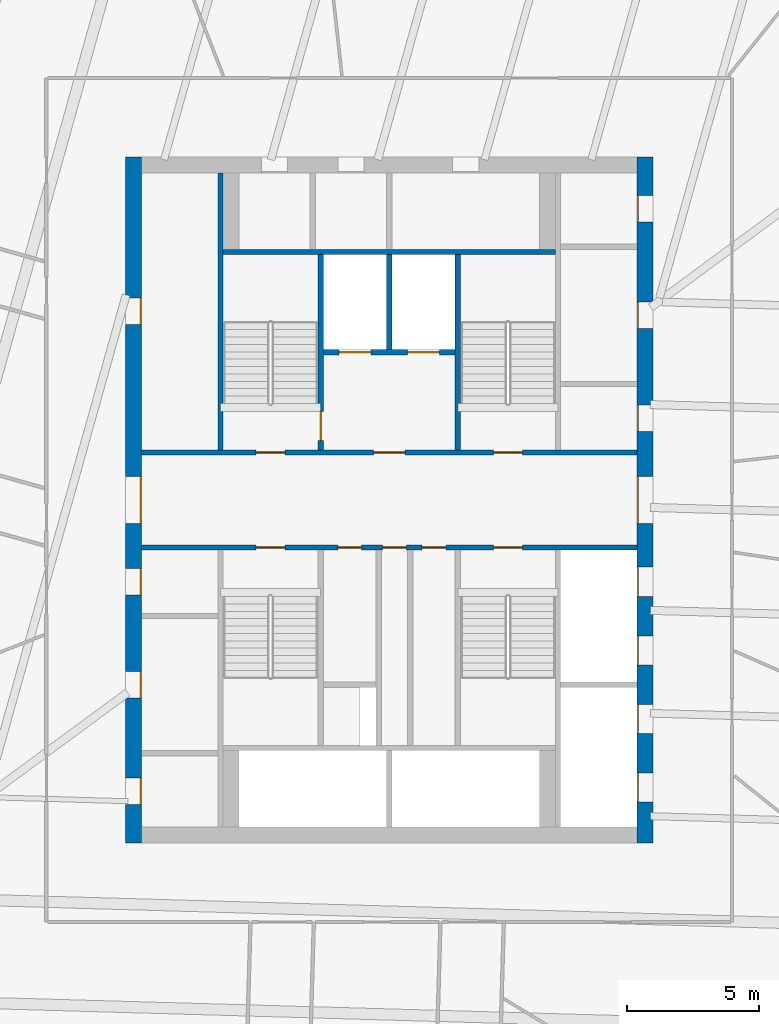
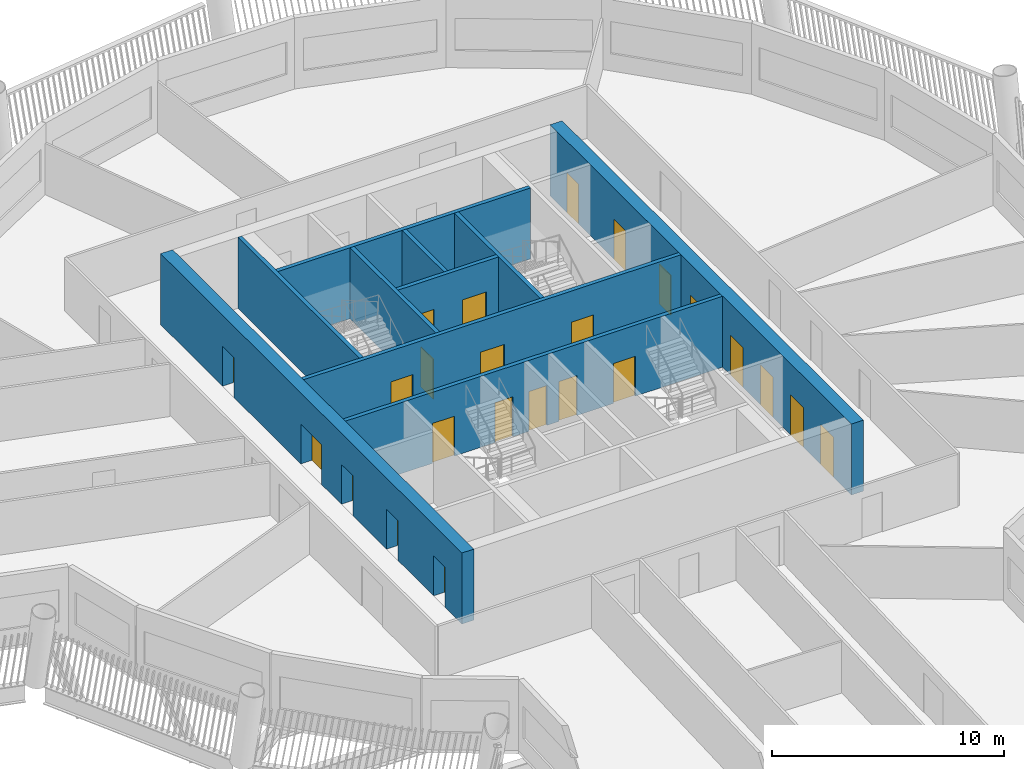
# One storey, part 5 of 15: 24 doors, 10 walls, 24 openings.
"""IFC4 building model written with IfcOpenShell, lengths in metres."""

from ifc_helpers import new_model, si_unit, direction, frame, frame_2d, origin, place, context, subcontext, project, spatial, rectangle, extrude, material, layer, layer_set, type_object, element, fill, save


model = new_model("IFC4")

# Units and contexts
model_context = context("Model", 3, precision=1e-05, world=origin(), true_north=direction((0.0, 1.0)))
body_context = subcontext(model_context, "Body", "Model", "MODEL_VIEW")
ifc_project = project(units=[si_unit("LENGTHUNIT", "METRE"), si_unit("AREAUNIT", "SQUARE_METRE"), si_unit("VOLUMEUNIT", "CUBIC_METRE"), si_unit("PLANEANGLEUNIT", "RADIAN"), si_unit("MASSUNIT", "GRAM", prefix="KILO")], contexts=[model_context])

# Site, building, storey
site_placement = place(None, origin())
site = spatial("IfcSite", under=ifc_project, at=site_placement, CompositionType="ELEMENT")
building_placement = place(site_placement, origin())
building = spatial("IfcBuilding", under=site, at=building_placement, Name="Tarsis Ring Headquarters", CompositionType="ELEMENT")
storey_placement = place(building_placement, frame((0.0, 0.0, 219.89990234375)))
storey = spatial("IfcBuildingStorey", under=building, at=storey_placement, Name="L51", CompositionType="ELEMENT", Elevation=219.89990234375)

# Wall, openings, doors
ifc_material_1 = material(Name="Concrete C50/60", Category="concrete")
ifc_layer_1 = layer(ifc_material_1, 0.60009765625)
ifc_layer_set_1 = layer_set([ifc_layer_1], Name="Core wall 600 C50/60")
wall_type_1 = type_object("IfcWallType", Name="Core wall 600 C50/60", PredefinedType="SHEAR", material=ifc_layer_set_1)
wall_1_placement = place(storey_placement, frame((-9.699951171875, -13.0, 0.0), z_axis=(0.0, 0.0, 1.0), x_axis=(0.0, 1.0, 0.0)))
wall_1 = element("IfcWall", 1, at=wall_1_placement, inside=storey, type_object=wall_type_1, Name="Core wall OW", PredefinedType="SHEAR", context=body_context, shape_type="SweptSolid", body=[
    extrude(rectangle(XDim=26.0, YDim=0.60009765625, at=frame_2d((13.0, 0.0))), origin(), (0.0, 0.0, 1.0), 3.739990234375),
])
opening_1_placement = place(wall_1_placement, frame((1.449951171875, 0.0, 0.0)))
opening_1 = element("IfcOpeningElement", 2, at=opening_1_placement, cuts=wall_1, Name="Opening L51-C01", PredefinedType="OPENING", context=body_context, shape_type="SweptSolid", body=[
    extrude(rectangle(XDim=1.0, YDim=2.10009765625, at=frame_2d((0.5, 1.050048828125))), frame((0.0, 0.31005859375, 0.0), z_axis=(0.0, -1.0, 0.0), x_axis=(1.0, 0.0, 0.0)), (0.0, 0.0, 1.0), 0.6201171875),
])
opening_2_placement = place(wall_1_placement, frame((5.5, 0.0, 0.0)))
opening_2 = element("IfcOpeningElement", 3, at=opening_2_placement, cuts=wall_1, Name="Opening L51-C02", PredefinedType="OPENING", context=body_context, shape_type="SweptSolid", body=[
    extrude(rectangle(XDim=1.0, YDim=2.10009765625, at=frame_2d((0.5, 1.050048828125))), frame((0.0, 0.31005859375, 0.0), z_axis=(0.0, -1.0, 0.0), x_axis=(1.0, 0.0, 0.0)), (0.0, 0.0, 1.0), 0.6201171875),
])
opening_3_placement = place(wall_1_placement, frame((9.39990234375, 0.0, 0.0)))
opening_3 = element("IfcOpeningElement", 4, at=opening_3_placement, cuts=wall_1, Name="Opening L51-C03", PredefinedType="OPENING", context=body_context, shape_type="SweptSolid", body=[
    extrude(rectangle(XDim=1.0, YDim=2.10009765625, at=frame_2d((0.5, 1.050048828125))), frame((0.0, 0.31005859375, 0.0), z_axis=(0.0, -1.0, 0.0), x_axis=(1.0, 0.0, 0.0)), (0.0, 0.0, 1.0), 0.6201171875),
])
opening_4_placement = place(wall_1_placement, frame((12.10009765625, 0.0, 0.0)))
opening_4 = element("IfcOpeningElement", 5, at=opening_4_placement, cuts=wall_1, Name="Opening L51-C04", PredefinedType="OPENING", context=body_context, shape_type="SweptSolid", body=[
    extrude(rectangle(XDim=1.800048828125, YDim=2.10009765625, at=frame_2d((0.89990234375, 1.050048828125))), frame((0.0, 0.31005859375, 0.0), z_axis=(0.0, -1.0, 0.0), x_axis=(1.0, 0.0, 0.0)), (0.0, 0.0, 1.0), 0.6201171875),
])
opening_5_placement = place(wall_1_placement, frame((19.64990234375, 0.0, 0.0)))
opening_5 = element("IfcOpeningElement", 6, at=opening_5_placement, cuts=wall_1, Name="Opening L51-C05", PredefinedType="OPENING", context=body_context, shape_type="SweptSolid", body=[
    extrude(rectangle(XDim=1.0, YDim=2.10009765625, at=frame_2d((0.5, 1.050048828125))), frame((0.0, 0.31005859375, 0.0), z_axis=(0.0, -1.0, 0.0), x_axis=(1.0, 0.0, 0.0)), (0.0, 0.0, 1.0), 0.6201171875),
])
ifc_material_2 = material(Name="Steel S355", Category="steel")
door_type_1 = type_object("IfcDoorType", Name="Core entry door 1800x2100", OperationType="DOUBLE_DOOR_SINGLE_SWING", PredefinedType="DOOR", material=ifc_material_2)
door_1_placement = place(opening_4_placement, origin())
door_1 = element("IfcDoor", 7, at=door_1_placement, inside=storey, type_object=door_type_1, Name="Core entry door L51", OperationType="DOUBLE_DOOR_SINGLE_SWING", OverallHeight=2.10009765625, OverallWidth=1.800048828125, PredefinedType="DOOR", context=body_context, shape_type="SweptSolid", body=[
    extrude(rectangle(XDim=1.800048828125, YDim=2.10009765625, at=frame_2d((0.89990234375, 1.050048828125))), frame((0.0, -0.25, 0.0), z_axis=(0.0, -1.0, 0.0), x_axis=(1.0, 0.0, 0.0)), (0.0, 0.0, 1.0), 0.050048828125),
])
fill(opening_4, door_1)
door_type_2 = type_object("IfcDoorType", Name="Core room door 1000x2100", OperationType="SINGLE_SWING_LEFT", PredefinedType="DOOR", material=ifc_material_2)
door_2_placement = place(opening_1_placement, origin())
door_2 = element("IfcDoor", 8, at=door_2_placement, inside=storey, type_object=door_type_2, Name="Core room door L51", OperationType="SINGLE_SWING_LEFT", OverallHeight=2.10009765625, OverallWidth=1.0, PredefinedType="DOOR", context=body_context, shape_type="SweptSolid", body=[
    extrude(rectangle(XDim=1.0, YDim=2.10009765625, at=frame_2d((0.5, 1.050048828125))), frame((0.0, -0.25, 0.0), z_axis=(0.0, -1.0, 0.0), x_axis=(1.0, 0.0, 0.0)), (0.0, 0.0, 1.0), 0.050048828125),
])
fill(opening_1, door_2)
door_3_placement = place(opening_2_placement, origin())
door_3 = element("IfcDoor", 9, at=door_3_placement, inside=storey, type_object=door_type_2, Name="Core room door L51", OperationType="SINGLE_SWING_LEFT", OverallHeight=2.10009765625, OverallWidth=1.0, PredefinedType="DOOR", context=body_context, shape_type="SweptSolid", body=[
    extrude(rectangle(XDim=1.0, YDim=2.10009765625, at=frame_2d((0.5, 1.050048828125))), frame((0.0, -0.25, 0.0), z_axis=(0.0, -1.0, 0.0), x_axis=(1.0, 0.0, 0.0)), (0.0, 0.0, 1.0), 0.050048828125),
])
fill(opening_2, door_3)
door_4_placement = place(opening_3_placement, origin())
door_4 = element("IfcDoor", 10, at=door_4_placement, inside=storey, type_object=door_type_2, Name="Core room door L51", OperationType="SINGLE_SWING_LEFT", OverallHeight=2.10009765625, OverallWidth=1.0, PredefinedType="DOOR", context=body_context, shape_type="SweptSolid", body=[
    extrude(rectangle(XDim=1.0, YDim=2.10009765625, at=frame_2d((0.5, 1.050048828125))), frame((0.0, -0.25, 0.0), z_axis=(0.0, -1.0, 0.0), x_axis=(1.0, 0.0, 0.0)), (0.0, 0.0, 1.0), 0.050048828125),
])
fill(opening_3, door_4)
door_5_placement = place(opening_5_placement, origin())
door_5 = element("IfcDoor", 11, at=door_5_placement, inside=storey, type_object=door_type_2, Name="Core room door L51", OperationType="SINGLE_SWING_LEFT", OverallHeight=2.10009765625, OverallWidth=1.0, PredefinedType="DOOR", context=body_context, shape_type="SweptSolid", body=[
    extrude(rectangle(XDim=1.0, YDim=2.10009765625, at=frame_2d((0.5, 1.050048828125))), frame((0.0, -0.25, 0.0), z_axis=(0.0, -1.0, 0.0), x_axis=(1.0, 0.0, 0.0)), (0.0, 0.0, 1.0), 0.050048828125),
])
fill(opening_5, door_5)

wall_2_placement = place(storey_placement, frame((9.699951171875, -13.0, 0.0), z_axis=(0.0, 0.0, 1.0), x_axis=(0.0, 1.0, 0.0)))
wall_2 = element("IfcWall", 12, at=wall_2_placement, inside=storey, type_object=wall_type_1, Name="Core wall OE", PredefinedType="SHEAR", context=body_context, shape_type="SweptSolid", body=[
    extrude(rectangle(XDim=26.0, YDim=0.60009765625, at=frame_2d((13.0, 0.0))), origin(), (0.0, 0.0, 1.0), 3.739990234375),
])
opening_6_placement = place(wall_2_placement, frame((1.550048828125, 0.0, 0.0)))
opening_6 = element("IfcOpeningElement", 13, at=opening_6_placement, cuts=wall_2, Name="Opening LD-MR1", PredefinedType="OPENING", context=body_context, shape_type="SweptSolid", body=[
    extrude(rectangle(XDim=1.10009765625, YDim=2.10009765625, at=frame_2d((0.550048828125, 1.050048828125))), frame((0.0, 0.31005859375, 0.0), z_axis=(0.0, -1.0, 0.0), x_axis=(1.0, 0.0, 0.0)), (0.0, 0.0, 1.0), 0.6201171875),
])
opening_7_placement = place(wall_2_placement, frame((4.14990234375, 0.0, 0.0)))
opening_7 = element("IfcOpeningElement", 14, at=opening_7_placement, cuts=wall_2, Name="Opening LD-MR2", PredefinedType="OPENING", context=body_context, shape_type="SweptSolid", body=[
    extrude(rectangle(XDim=1.10009765625, YDim=2.10009765625, at=frame_2d((0.550048828125, 1.050048828125))), frame((0.0, 0.31005859375, 0.0), z_axis=(0.0, -1.0, 0.0), x_axis=(1.0, 0.0, 0.0)), (0.0, 0.0, 1.0), 0.6201171875),
])
opening_8_placement = place(wall_2_placement, frame((6.75, 0.0, 0.0)))
opening_8 = element("IfcOpeningElement", 15, at=opening_8_placement, cuts=wall_2, Name="Opening LD-MR3", PredefinedType="OPENING", context=body_context, shape_type="SweptSolid", body=[
    extrude(rectangle(XDim=1.10009765625, YDim=2.10009765625, at=frame_2d((0.550048828125, 1.050048828125))), frame((0.0, 0.31005859375, 0.0), z_axis=(0.0, -1.0, 0.0), x_axis=(1.0, 0.0, 0.0)), (0.0, 0.0, 1.0), 0.6201171875),
])
opening_9_placement = place(wall_2_placement, frame((9.35009765625, 0.0, 0.0)))
opening_9 = element("IfcOpeningElement", 16, at=opening_9_placement, cuts=wall_2, Name="Opening LD-MR4", PredefinedType="OPENING", context=body_context, shape_type="SweptSolid", body=[
    extrude(rectangle(XDim=1.10009765625, YDim=2.10009765625, at=frame_2d((0.550048828125, 1.050048828125))), frame((0.0, 0.31005859375, 0.0), z_axis=(0.0, -1.0, 0.0), x_axis=(1.0, 0.0, 0.0)), (0.0, 0.0, 1.0), 0.6201171875),
])
opening_10_placement = place(wall_2_placement, frame((12.10009765625, 0.0, 0.0)))
opening_10 = element("IfcOpeningElement", 17, at=opening_10_placement, cuts=wall_2, Name="Opening L51-C10", PredefinedType="OPENING", context=body_context, shape_type="SweptSolid", body=[
    extrude(rectangle(XDim=1.800048828125, YDim=2.10009765625, at=frame_2d((0.89990234375, 1.050048828125))), frame((0.0, 0.31005859375, 0.0), z_axis=(0.0, -1.0, 0.0), x_axis=(1.0, 0.0, 0.0)), (0.0, 0.0, 1.0), 0.6201171875),
])
opening_11_placement = place(wall_2_placement, frame((15.60009765625, 0.0, 0.0)))
opening_11 = element("IfcOpeningElement", 18, at=opening_11_placement, cuts=wall_2, Name="Opening L51-C11", PredefinedType="OPENING", context=body_context, shape_type="SweptSolid", body=[
    extrude(rectangle(XDim=1.0, YDim=2.10009765625, at=frame_2d((0.5, 1.050048828125))), frame((0.0, 0.31005859375, 0.0), z_axis=(0.0, -1.0, 0.0), x_axis=(1.0, 0.0, 0.0)), (0.0, 0.0, 1.0), 0.6201171875),
])
opening_12_placement = place(wall_2_placement, frame((19.5, 0.0, 0.0)))
opening_12 = element("IfcOpeningElement", 19, at=opening_12_placement, cuts=wall_2, Name="Opening L51-C12", PredefinedType="OPENING", context=body_context, shape_type="SweptSolid", body=[
    extrude(rectangle(XDim=1.0, YDim=2.10009765625, at=frame_2d((0.5, 1.050048828125))), frame((0.0, 0.31005859375, 0.0), z_axis=(0.0, -1.0, 0.0), x_axis=(1.0, 0.0, 0.0)), (0.0, 0.0, 1.0), 0.6201171875),
])
opening_13_placement = place(wall_2_placement, frame((23.550048828125, 0.0, 0.0)))
opening_13 = element("IfcOpeningElement", 20, at=opening_13_placement, cuts=wall_2, Name="Opening L51-C13", PredefinedType="OPENING", context=body_context, shape_type="SweptSolid", body=[
    extrude(rectangle(XDim=1.0, YDim=2.10009765625, at=frame_2d((0.5, 1.050048828125))), frame((0.0, 0.31005859375, 0.0), z_axis=(0.0, -1.0, 0.0), x_axis=(1.0, 0.0, 0.0)), (0.0, 0.0, 1.0), 0.6201171875),
])
door_6_placement = place(opening_10_placement, origin())
door_6 = element("IfcDoor", 21, at=door_6_placement, inside=storey, type_object=door_type_1, Name="Core entry door L51", OperationType="DOUBLE_DOOR_SINGLE_SWING", OverallHeight=2.10009765625, OverallWidth=1.800048828125, PredefinedType="DOOR", context=body_context, shape_type="SweptSolid", body=[
    extrude(rectangle(XDim=1.800048828125, YDim=2.10009765625, at=frame_2d((0.89990234375, 1.050048828125))), frame((0.0, 0.2998046875, 0.0), z_axis=(0.0, -1.0, 0.0), x_axis=(1.0, 0.0, 0.0)), (0.0, 0.0, 1.0), 0.050048828125),
])
fill(opening_10, door_6)
door_7_placement = place(opening_11_placement, origin())
door_7 = element("IfcDoor", 22, at=door_7_placement, inside=storey, type_object=door_type_2, Name="Core room door L51", OperationType="SINGLE_SWING_LEFT", OverallHeight=2.10009765625, OverallWidth=1.0, PredefinedType="DOOR", context=body_context, shape_type="SweptSolid", body=[
    extrude(rectangle(XDim=1.0, YDim=2.10009765625, at=frame_2d((0.5, 1.050048828125))), frame((0.0, 0.2998046875, 0.0), z_axis=(0.0, -1.0, 0.0), x_axis=(1.0, 0.0, 0.0)), (0.0, 0.0, 1.0), 0.050048828125),
])
fill(opening_11, door_7)
door_8_placement = place(opening_12_placement, origin())
door_8 = element("IfcDoor", 23, at=door_8_placement, inside=storey, type_object=door_type_2, Name="Core room door L51", OperationType="SINGLE_SWING_LEFT", OverallHeight=2.10009765625, OverallWidth=1.0, PredefinedType="DOOR", context=body_context, shape_type="SweptSolid", body=[
    extrude(rectangle(XDim=1.0, YDim=2.10009765625, at=frame_2d((0.5, 1.050048828125))), frame((0.0, 0.2998046875, 0.0), z_axis=(0.0, -1.0, 0.0), x_axis=(1.0, 0.0, 0.0)), (0.0, 0.0, 1.0), 0.050048828125),
])
fill(opening_12, door_8)
door_9_placement = place(opening_13_placement, origin())
door_9 = element("IfcDoor", 24, at=door_9_placement, inside=storey, type_object=door_type_2, Name="Core room door L51", OperationType="SINGLE_SWING_LEFT", OverallHeight=2.10009765625, OverallWidth=1.0, PredefinedType="DOOR", context=body_context, shape_type="SweptSolid", body=[
    extrude(rectangle(XDim=1.0, YDim=2.10009765625, at=frame_2d((0.5, 1.050048828125))), frame((0.0, 0.2998046875, 0.0), z_axis=(0.0, -1.0, 0.0), x_axis=(1.0, 0.0, 0.0)), (0.0, 0.0, 1.0), 0.050048828125),
])
fill(opening_13, door_9)
door_type_3 = type_object("IfcDoorType", Name="Landing door 1100x2100", OperationType="SLIDING_TO_LEFT", PredefinedType="DOOR", material=ifc_material_2)
door_10_placement = place(opening_6_placement, origin())
door_10 = element("IfcDoor", 25, at=door_10_placement, inside=storey, type_object=door_type_3, Name="Landing door MR1 L51", OperationType="SLIDING_TO_LEFT", OverallHeight=2.10009765625, OverallWidth=1.10009765625, PredefinedType="DOOR", context=body_context, shape_type="SweptSolid", body=[
    extrude(rectangle(XDim=1.10009765625, YDim=2.10009765625, at=frame_2d((0.550048828125, 1.050048828125))), frame((0.0, 0.2998046875, 0.0), z_axis=(0.0, -1.0, 0.0), x_axis=(1.0, 0.0, 0.0)), (0.0, 0.0, 1.0), 0.050048828125),
])
fill(opening_6, door_10)
door_11_placement = place(opening_7_placement, origin())
door_11 = element("IfcDoor", 26, at=door_11_placement, inside=storey, type_object=door_type_3, Name="Landing door MR2 L51", OperationType="SLIDING_TO_LEFT", OverallHeight=2.10009765625, OverallWidth=1.10009765625, PredefinedType="DOOR", context=body_context, shape_type="SweptSolid", body=[
    extrude(rectangle(XDim=1.10009765625, YDim=2.10009765625, at=frame_2d((0.550048828125, 1.050048828125))), frame((0.0, 0.2998046875, 0.0), z_axis=(0.0, -1.0, 0.0), x_axis=(1.0, 0.0, 0.0)), (0.0, 0.0, 1.0), 0.050048828125),
])
fill(opening_7, door_11)
door_12_placement = place(opening_8_placement, origin())
door_12 = element("IfcDoor", 27, at=door_12_placement, inside=storey, type_object=door_type_3, Name="Landing door MR3 L51", OperationType="SLIDING_TO_LEFT", OverallHeight=2.10009765625, OverallWidth=1.10009765625, PredefinedType="DOOR", context=body_context, shape_type="SweptSolid", body=[
    extrude(rectangle(XDim=1.10009765625, YDim=2.10009765625, at=frame_2d((0.550048828125, 1.050048828125))), frame((0.0, 0.2998046875, 0.0), z_axis=(0.0, -1.0, 0.0), x_axis=(1.0, 0.0, 0.0)), (0.0, 0.0, 1.0), 0.050048828125),
])
fill(opening_8, door_12)
door_13_placement = place(opening_9_placement, origin())
door_13 = element("IfcDoor", 28, at=door_13_placement, inside=storey, type_object=door_type_3, Name="Landing door MR4 L51", OperationType="SLIDING_TO_LEFT", OverallHeight=2.10009765625, OverallWidth=1.10009765625, PredefinedType="DOOR", context=body_context, shape_type="SweptSolid", body=[
    extrude(rectangle(XDim=1.10009765625, YDim=2.10009765625, at=frame_2d((0.550048828125, 1.050048828125))), frame((0.0, 0.2998046875, 0.0), z_axis=(0.0, -1.0, 0.0), x_axis=(1.0, 0.0, 0.0)), (0.0, 0.0, 1.0), 0.050048828125),
])
fill(opening_9, door_13)

ifc_material_3 = material(Name="Concrete C32/40", Category="concrete")
ifc_layer_2 = layer(ifc_material_3, 0.199951171875)
ifc_layer_set_2 = layer_set([ifc_layer_2], Name="Shaft wall 200 C32/40")
wall_type_2 = type_object("IfcWallType", Name="Shaft wall 200 C32/40", PredefinedType="SOLIDWALL", material=ifc_layer_set_2)
wall_3_placement = place(storey_placement, frame((-9.39990234375, 1.800048828125, 0.0), z_axis=(0.0, 0.0, 1.0), x_axis=(1.0, 0.0, 0.0)))
wall_3 = element("IfcWall", 29, at=wall_3_placement, inside=storey, type_object=wall_type_2, Name="Core shaft wall CN", PredefinedType="SOLIDWALL", context=body_context, shape_type="SweptSolid", body=[
    extrude(rectangle(XDim=18.7998046875, YDim=0.199951171875, at=frame_2d((9.39990234375, 0.0))), origin(), (0.0, 0.0, 1.0), 3.739990234375),
])
opening_14_placement = place(wall_3_placement, frame((4.35009765625, 0.0, 0.0)))
opening_14 = element("IfcOpeningElement", 30, at=opening_14_placement, cuts=wall_3, Name="Opening L51-C17", PredefinedType="OPENING", context=body_context, shape_type="SweptSolid", body=[
    extrude(rectangle(XDim=1.10009765625, YDim=2.10009765625, at=frame_2d((0.550048828125, 1.050048828125))), frame((0.0, 0.10986328125, 0.0), z_axis=(0.0, -1.0, 0.0), x_axis=(1.0, 0.0, 0.0)), (0.0, 0.0, 1.0), 0.219970703125),
])
opening_15_placement = place(wall_3_placement, frame((8.800048828125, 0.0, 0.0)))
opening_15 = element("IfcOpeningElement", 31, at=opening_15_placement, cuts=wall_3, Name="Opening L51-C18", PredefinedType="OPENING", context=body_context, shape_type="SweptSolid", body=[
    extrude(rectangle(XDim=1.199951171875, YDim=2.10009765625, at=frame_2d((0.60009765625, 1.050048828125))), frame((0.0, 0.10986328125, 0.0), z_axis=(0.0, -1.0, 0.0), x_axis=(1.0, 0.0, 0.0)), (0.0, 0.0, 1.0), 0.219970703125),
])
opening_16_placement = place(wall_3_placement, frame((13.35009765625, 0.0, 0.0)))
opening_16 = element("IfcOpeningElement", 32, at=opening_16_placement, cuts=wall_3, Name="Opening L51-C19", PredefinedType="OPENING", context=body_context, shape_type="SweptSolid", body=[
    extrude(rectangle(XDim=1.10009765625, YDim=2.10009765625, at=frame_2d((0.550048828125, 1.050048828125))), frame((0.0, 0.10986328125, 0.0), z_axis=(0.0, -1.0, 0.0), x_axis=(1.0, 0.0, 0.0)), (0.0, 0.0, 1.0), 0.219970703125),
])
door_type_4 = type_object("IfcDoorType", Name="Firefighting lobby door 1200x2100", OperationType="DOUBLE_DOOR_SINGLE_SWING", PredefinedType="DOOR", material=ifc_material_2)
door_14_placement = place(opening_15_placement, origin())
door_14 = element("IfcDoor", 33, at=door_14_placement, inside=storey, type_object=door_type_4, Name="Firefighting lobby door L51", OperationType="DOUBLE_DOOR_SINGLE_SWING", OverallHeight=2.10009765625, OverallWidth=1.199951171875, PredefinedType="DOOR", context=body_context, shape_type="SweptSolid", body=[
    extrude(rectangle(XDim=1.199951171875, YDim=2.10009765625, at=frame_2d((0.60009765625, 1.050048828125))), frame((0.0, 0.02490234375, 0.0), z_axis=(0.0, -1.0, 0.0), x_axis=(1.0, 0.0, 0.0)), (0.0, 0.0, 1.0), 0.050048828125),
])
fill(opening_15, door_14)
door_type_5 = type_object("IfcDoorType", Name="Stair door 1100x2100", OperationType="SINGLE_SWING_LEFT", PredefinedType="DOOR", material=ifc_material_2)
door_15_placement = place(opening_14_placement, origin())
door_15 = element("IfcDoor", 34, at=door_15_placement, inside=storey, type_object=door_type_5, Name="Stair door L51", OperationType="SINGLE_SWING_LEFT", OverallHeight=2.10009765625, OverallWidth=1.10009765625, PredefinedType="DOOR", context=body_context, shape_type="SweptSolid", body=[
    extrude(rectangle(XDim=1.10009765625, YDim=2.10009765625, at=frame_2d((0.550048828125, 1.050048828125))), frame((0.0, 0.02490234375, 0.0), z_axis=(0.0, -1.0, 0.0), x_axis=(1.0, 0.0, 0.0)), (0.0, 0.0, 1.0), 0.050048828125),
])
fill(opening_14, door_15)
door_16_placement = place(opening_16_placement, origin())
door_16 = element("IfcDoor", 35, at=door_16_placement, inside=storey, type_object=door_type_5, Name="Stair door L51", OperationType="SINGLE_SWING_LEFT", OverallHeight=2.10009765625, OverallWidth=1.10009765625, PredefinedType="DOOR", context=body_context, shape_type="SweptSolid", body=[
    extrude(rectangle(XDim=1.10009765625, YDim=2.10009765625, at=frame_2d((0.550048828125, 1.050048828125))), frame((0.0, 0.02490234375, 0.0), z_axis=(0.0, -1.0, 0.0), x_axis=(1.0, 0.0, 0.0)), (0.0, 0.0, 1.0), 0.050048828125),
])
fill(opening_16, door_16)

wall_4_placement = place(storey_placement, frame((-9.39990234375, -1.800048828125, 0.0), z_axis=(0.0, 0.0, 1.0), x_axis=(1.0, 0.0, 0.0)))
wall_4 = element("IfcWall", 36, at=wall_4_placement, inside=storey, type_object=wall_type_2, Name="Core shaft wall CS", PredefinedType="SOLIDWALL", context=body_context, shape_type="SweptSolid", body=[
    extrude(rectangle(XDim=18.7998046875, YDim=0.199951171875, at=frame_2d((9.39990234375, 0.0))), origin(), (0.0, 0.0, 1.0), 3.739990234375),
])
opening_17_placement = place(wall_4_placement, frame((4.35009765625, 0.0, 0.0)))
opening_17 = element("IfcOpeningElement", 37, at=opening_17_placement, cuts=wall_4, Name="Opening L51-C20", PredefinedType="OPENING", context=body_context, shape_type="SweptSolid", body=[
    extrude(rectangle(XDim=1.10009765625, YDim=2.10009765625, at=frame_2d((0.550048828125, 1.050048828125))), frame((0.0, 0.10986328125, 0.0), z_axis=(0.0, -1.0, 0.0), x_axis=(1.0, 0.0, 0.0)), (0.0, 0.0, 1.0), 0.219970703125),
])
opening_18_placement = place(wall_4_placement, frame((7.449951171875, 0.0, 0.0)))
opening_18 = element("IfcOpeningElement", 38, at=opening_18_placement, cuts=wall_4, Name="Opening L51-C21", PredefinedType="OPENING", context=body_context, shape_type="SweptSolid", body=[
    extrude(rectangle(XDim=0.89990234375, YDim=2.10009765625, at=frame_2d((0.449951171875, 1.050048828125))), frame((0.0, 0.10986328125, 0.0), z_axis=(0.0, -1.0, 0.0), x_axis=(1.0, 0.0, 0.0)), (0.0, 0.0, 1.0), 0.219970703125),
])
opening_19_placement = place(wall_4_placement, frame((9.14990234375, 0.0, 0.0)))
opening_19 = element("IfcOpeningElement", 39, at=opening_19_placement, cuts=wall_4, Name="Opening L51-C22", PredefinedType="OPENING", context=body_context, shape_type="SweptSolid", body=[
    extrude(rectangle(XDim=0.89990234375, YDim=2.10009765625, at=frame_2d((0.449951171875, 1.050048828125))), frame((0.0, 0.10986328125, 0.0), z_axis=(0.0, -1.0, 0.0), x_axis=(1.0, 0.0, 0.0)), (0.0, 0.0, 1.0), 0.219970703125),
])
opening_20_placement = place(wall_4_placement, frame((10.64990234375, 0.0, 0.0)))
opening_20 = element("IfcOpeningElement", 40, at=opening_20_placement, cuts=wall_4, Name="Opening L51-C23", PredefinedType="OPENING", context=body_context, shape_type="SweptSolid", body=[
    extrude(rectangle(XDim=0.89990234375, YDim=2.10009765625, at=frame_2d((0.449951171875, 1.050048828125))), frame((0.0, 0.10986328125, 0.0), z_axis=(0.0, -1.0, 0.0), x_axis=(1.0, 0.0, 0.0)), (0.0, 0.0, 1.0), 0.219970703125),
])
opening_21_placement = place(wall_4_placement, frame((13.35009765625, 0.0, 0.0)))
opening_21 = element("IfcOpeningElement", 41, at=opening_21_placement, cuts=wall_4, Name="Opening L51-C24", PredefinedType="OPENING", context=body_context, shape_type="SweptSolid", body=[
    extrude(rectangle(XDim=1.10009765625, YDim=2.10009765625, at=frame_2d((0.550048828125, 1.050048828125))), frame((0.0, 0.10986328125, 0.0), z_axis=(0.0, -1.0, 0.0), x_axis=(1.0, 0.0, 0.0)), (0.0, 0.0, 1.0), 0.219970703125),
])
door_17_placement = place(opening_17_placement, origin())
door_17 = element("IfcDoor", 42, at=door_17_placement, inside=storey, type_object=door_type_5, Name="Stair door L51", OperationType="SINGLE_SWING_LEFT", OverallHeight=2.10009765625, OverallWidth=1.10009765625, PredefinedType="DOOR", context=body_context, shape_type="SweptSolid", body=[
    extrude(rectangle(XDim=1.10009765625, YDim=2.10009765625, at=frame_2d((0.550048828125, 1.050048828125))), frame((0.0, 0.02490234375, 0.0), z_axis=(0.0, -1.0, 0.0), x_axis=(1.0, 0.0, 0.0)), (0.0, 0.0, 1.0), 0.050048828125),
])
fill(opening_17, door_17)
door_18_placement = place(opening_21_placement, origin())
door_18 = element("IfcDoor", 43, at=door_18_placement, inside=storey, type_object=door_type_5, Name="Stair door L51", OperationType="SINGLE_SWING_LEFT", OverallHeight=2.10009765625, OverallWidth=1.10009765625, PredefinedType="DOOR", context=body_context, shape_type="SweptSolid", body=[
    extrude(rectangle(XDim=1.10009765625, YDim=2.10009765625, at=frame_2d((0.550048828125, 1.050048828125))), frame((0.0, 0.02490234375, 0.0), z_axis=(0.0, -1.0, 0.0), x_axis=(1.0, 0.0, 0.0)), (0.0, 0.0, 1.0), 0.050048828125),
])
fill(opening_21, door_18)
door_type_6 = type_object("IfcDoorType", Name="WC door 900x2100", OperationType="SINGLE_SWING_LEFT", PredefinedType="DOOR", material=ifc_material_2)
door_19_placement = place(opening_18_placement, origin())
door_19 = element("IfcDoor", 44, at=door_19_placement, inside=storey, type_object=door_type_6, Name="WC door L51", OperationType="SINGLE_SWING_LEFT", OverallHeight=2.10009765625, OverallWidth=0.89990234375, PredefinedType="DOOR", context=body_context, shape_type="SweptSolid", body=[
    extrude(rectangle(XDim=0.89990234375, YDim=2.10009765625, at=frame_2d((0.449951171875, 1.050048828125))), frame((0.0, 0.02490234375, 0.0), z_axis=(0.0, -1.0, 0.0), x_axis=(1.0, 0.0, 0.0)), (0.0, 0.0, 1.0), 0.050048828125),
])
fill(opening_18, door_19)
door_20_placement = place(opening_19_placement, origin())
door_20 = element("IfcDoor", 45, at=door_20_placement, inside=storey, type_object=door_type_6, Name="WC door L51", OperationType="SINGLE_SWING_LEFT", OverallHeight=2.10009765625, OverallWidth=0.89990234375, PredefinedType="DOOR", context=body_context, shape_type="SweptSolid", body=[
    extrude(rectangle(XDim=0.89990234375, YDim=2.10009765625, at=frame_2d((0.449951171875, 1.050048828125))), frame((0.0, 0.02490234375, 0.0), z_axis=(0.0, -1.0, 0.0), x_axis=(1.0, 0.0, 0.0)), (0.0, 0.0, 1.0), 0.050048828125),
])
fill(opening_19, door_20)
door_21_placement = place(opening_20_placement, origin())
door_21 = element("IfcDoor", 46, at=door_21_placement, inside=storey, type_object=door_type_6, Name="WC door L51", OperationType="SINGLE_SWING_LEFT", OverallHeight=2.10009765625, OverallWidth=0.89990234375, PredefinedType="DOOR", context=body_context, shape_type="SweptSolid", body=[
    extrude(rectangle(XDim=0.89990234375, YDim=2.10009765625, at=frame_2d((0.449951171875, 1.050048828125))), frame((0.0, 0.02490234375, 0.0), z_axis=(0.0, -1.0, 0.0), x_axis=(1.0, 0.0, 0.0)), (0.0, 0.0, 1.0), 0.050048828125),
])
fill(opening_20, door_21)

# Walls
wall_5_placement = place(storey_placement, frame((-6.39990234375, 1.89990234375, 0.0), z_axis=(0.0, 0.0, 1.0), x_axis=(0.0, 1.0, 0.0)))
element("IfcWall", 47, at=wall_5_placement, inside=storey, type_object=wall_type_2, Name="Core shaft wall WB2", PredefinedType="SOLIDWALL", context=body_context, shape_type="SweptSolid", body=[
    extrude(rectangle(XDim=10.5, YDim=0.199951171875, at=frame_2d((5.25, 0.0))), origin(), (0.0, 0.0, 1.0), 3.739990234375),
])
wall_6_placement = place(storey_placement, frame((-6.300048828125, 9.39990234375, 0.0), z_axis=(0.0, 0.0, 1.0), x_axis=(1.0, 0.0, 0.0)))
element("IfcWall", 48, at=wall_6_placement, inside=storey, type_object=wall_type_2, Name="Core shaft wall NB", PredefinedType="SOLIDWALL", context=body_context, shape_type="SweptSolid", body=[
    extrude(rectangle(XDim=12.60009765625, YDim=0.199951171875, at=frame_2d((6.300048828125, 0.0))), origin(), (0.0, 0.0, 1.0), 3.739990234375),
])

# Wall, opening, door
wall_7_placement = place(storey_placement, frame((-2.60009765625, 1.89990234375, 0.0), z_axis=(0.0, 0.0, 1.0), x_axis=(0.0, 1.0, 0.0)))
wall_7 = element("IfcWall", 49, at=wall_7_placement, inside=storey, type_object=wall_type_2, Name="Core shaft wall SW1", PredefinedType="SOLIDWALL", context=body_context, shape_type="SweptSolid", body=[
    extrude(rectangle(XDim=7.400146484375, YDim=0.199951171875, at=frame_2d((3.7001953125, 0.0))), origin(), (0.0, 0.0, 1.0), 3.739990234375),
])
opening_22_placement = place(wall_7_placement, frame((0.35009765625, 0.0, 0.0)))
opening_22 = element("IfcOpeningElement", 50, at=opening_22_placement, cuts=wall_7, Name="Opening L51-C25", PredefinedType="OPENING", context=body_context, shape_type="SweptSolid", body=[
    extrude(rectangle(XDim=1.10009765625, YDim=2.10009765625, at=frame_2d((0.550048828125, 1.050048828125))), frame((0.0, 0.10986328125, 0.0), z_axis=(0.0, -1.0, 0.0), x_axis=(1.0, 0.0, 0.0)), (0.0, 0.0, 1.0), 0.219970703125),
])
door_22_placement = place(opening_22_placement, origin())
door_22 = element("IfcDoor", 51, at=door_22_placement, inside=storey, type_object=door_type_5, Name="Stair door L51", OperationType="SINGLE_SWING_LEFT", OverallHeight=2.10009765625, OverallWidth=1.10009765625, PredefinedType="DOOR", context=body_context, shape_type="SweptSolid", body=[
    extrude(rectangle(XDim=1.10009765625, YDim=2.10009765625, at=frame_2d((0.550048828125, 1.050048828125))), frame((0.0, 0.02490234375, 0.0), z_axis=(0.0, -1.0, 0.0), x_axis=(1.0, 0.0, 0.0)), (0.0, 0.0, 1.0), 0.050048828125),
])
fill(opening_22, door_22)

# Wall
wall_8_placement = place(storey_placement, frame((2.60009765625, 1.89990234375, 0.0), z_axis=(0.0, 0.0, 1.0), x_axis=(0.0, 1.0, 0.0)))
element("IfcWall", 52, at=wall_8_placement, inside=storey, type_object=wall_type_2, Name="Core shaft wall SW2", PredefinedType="SOLIDWALL", context=body_context, shape_type="SweptSolid", body=[
    extrude(rectangle(XDim=7.400146484375, YDim=0.199951171875, at=frame_2d((3.7001953125, 0.0))), origin(), (0.0, 0.0, 1.0), 3.739990234375),
])

# Wall, openings, doors
wall_9_placement = place(storey_placement, frame((-2.5, 5.60009765625, 0.0), z_axis=(0.0, 0.0, 1.0), x_axis=(1.0, 0.0, 0.0)))
wall_9 = element("IfcWall", 53, at=wall_9_placement, inside=storey, type_object=wall_type_2, Name="Core shaft wall FFN", PredefinedType="SOLIDWALL", context=body_context, shape_type="SweptSolid", body=[
    extrude(rectangle(XDim=5.0, YDim=0.199951171875, at=frame_2d((2.5, 0.0))), origin(), (0.0, 0.0, 1.0), 3.739990234375),
])
opening_23_placement = place(wall_9_placement, frame((0.60009765625, 0.0, 0.0)))
opening_23 = element("IfcOpeningElement", 54, at=opening_23_placement, cuts=wall_9, Name="Opening LDF-1", PredefinedType="OPENING", context=body_context, shape_type="SweptSolid", body=[
    extrude(rectangle(XDim=1.199951171875, YDim=2.10009765625, at=frame_2d((0.60009765625, 1.050048828125))), frame((0.0, 0.10986328125, 0.0), z_axis=(0.0, -1.0, 0.0), x_axis=(1.0, 0.0, 0.0)), (0.0, 0.0, 1.0), 0.219970703125),
])
opening_24_placement = place(wall_9_placement, frame((3.199951171875, 0.0, 0.0)))
opening_24 = element("IfcOpeningElement", 55, at=opening_24_placement, cuts=wall_9, Name="Opening LDF-2", PredefinedType="OPENING", context=body_context, shape_type="SweptSolid", body=[
    extrude(rectangle(XDim=1.199951171875, YDim=2.10009765625, at=frame_2d((0.60009765625, 1.050048828125))), frame((0.0, 0.10986328125, 0.0), z_axis=(0.0, -1.0, 0.0), x_axis=(1.0, 0.0, 0.0)), (0.0, 0.0, 1.0), 0.219970703125),
])
door_type_7 = type_object("IfcDoorType", Name="Firefighting landing door 1200x2100", OperationType="SLIDING_TO_LEFT", PredefinedType="DOOR", material=ifc_material_2)
door_23_placement = place(opening_23_placement, origin())
door_23 = element("IfcDoor", 56, at=door_23_placement, inside=storey, type_object=door_type_7, Name="Landing door FF1 L51", OperationType="SLIDING_TO_LEFT", OverallHeight=2.10009765625, OverallWidth=1.199951171875, PredefinedType="DOOR", context=body_context, shape_type="SweptSolid", body=[
    extrude(rectangle(XDim=1.199951171875, YDim=2.10009765625, at=frame_2d((0.60009765625, 1.050048828125))), frame((0.0, 0.02490234375, 0.0), z_axis=(0.0, -1.0, 0.0), x_axis=(1.0, 0.0, 0.0)), (0.0, 0.0, 1.0), 0.050048828125),
])
fill(opening_23, door_23)
door_24_placement = place(opening_24_placement, origin())
door_24 = element("IfcDoor", 57, at=door_24_placement, inside=storey, type_object=door_type_7, Name="Landing door FF2 L51", OperationType="SLIDING_TO_LEFT", OverallHeight=2.10009765625, OverallWidth=1.199951171875, PredefinedType="DOOR", context=body_context, shape_type="SweptSolid", body=[
    extrude(rectangle(XDim=1.199951171875, YDim=2.10009765625, at=frame_2d((0.60009765625, 1.050048828125))), frame((0.0, 0.02490234375, 0.0), z_axis=(0.0, -1.0, 0.0), x_axis=(1.0, 0.0, 0.0)), (0.0, 0.0, 1.0), 0.050048828125),
])
fill(opening_24, door_24)

# Wall
wall_10_placement = place(storey_placement, frame((0.0, 5.699951171875, 0.0), z_axis=(0.0, 0.0, 1.0), x_axis=(0.0, 1.0, 0.0)))
element("IfcWall", 58, at=wall_10_placement, inside=storey, type_object=wall_type_2, Name="Core shaft wall FFD", PredefinedType="SOLIDWALL", context=body_context, shape_type="SweptSolid", body=[
    extrude(rectangle(XDim=3.60009765625, YDim=0.199951171875, at=frame_2d((1.800048828125, 0.0))), origin(), (0.0, 0.0, 1.0), 3.739990234375),
])

save(model, "model.ifc")
